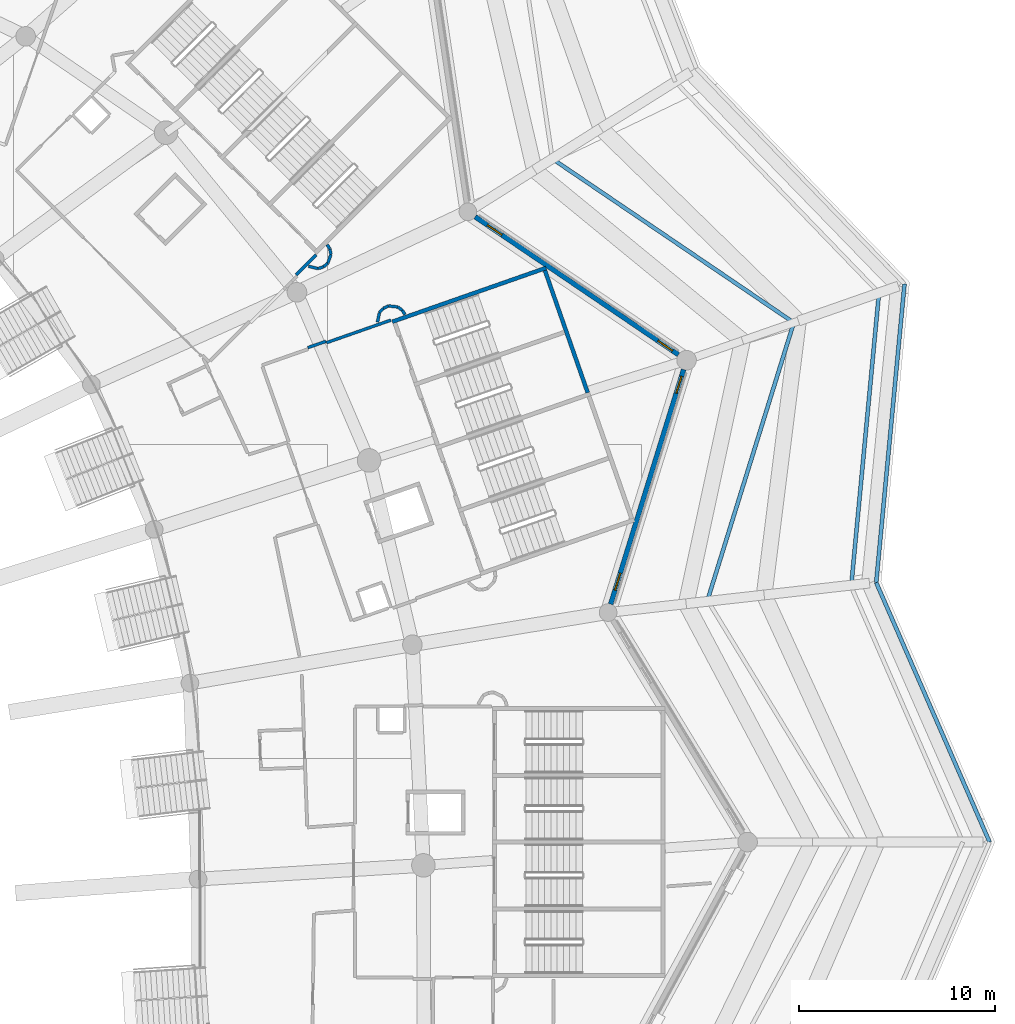
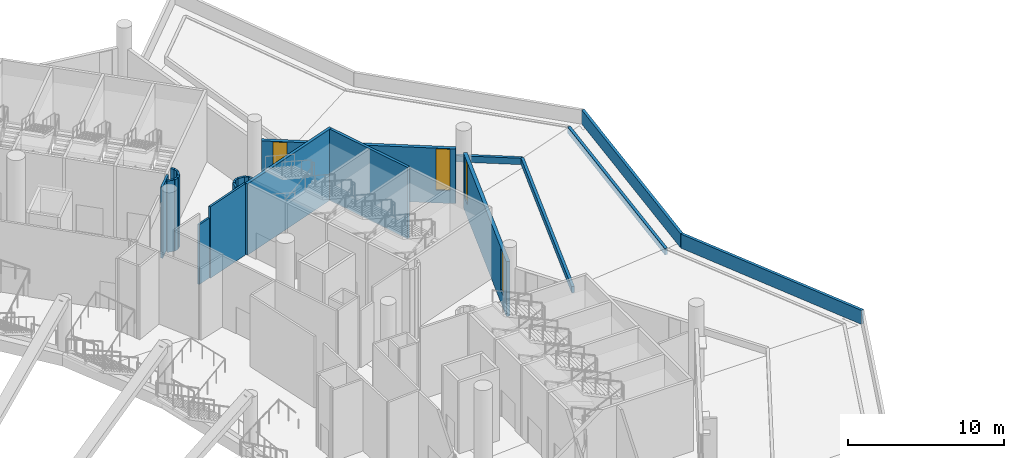
# One storey, part 74 of 173: 24 walls, 4 windows, 4 openings.
"""IFC4 building model written with IfcOpenShell, lengths in metres."""

import ifcopenshell
import ifcopenshell.guid

model = None  # the IFC model being written
_history = None  # IfcOwnerHistory: only IFC2X3 demands one
_inside = {}  # id of a spatial element -> (the spatial element, [elements in it])
_under = {}  # id of a project, library or spatial element -> (it, [spatial elements below it])
_declared = {}  # id of a project -> (the project, [libraries it declares])
_typed = {}  # id of a type object -> (the type object, [elements of that type])
_made_of = {}  # id of a material, layer set ... -> (it, [elements and type objects made of it])


def new_model(schema):
    """Start an empty IFC model of exactly this schema.

    Asked for "IFC4X3", IfcOpenShell would pick the latest addendum, in which some entities
    have other attributes; the version numbers below select the first issue.
    IFC2X3 requires an IfcOwnerHistory on every rooted entity: one is made here for all.
    """
    global model, _history
    if schema == "IFC4X3":
        model = ifcopenshell.file(schema_version=(4, 3, 0, 0))
    else:
        model = ifcopenshell.file(schema=schema)
    _inside.clear()
    _under.clear()
    _declared.clear()
    _typed.clear()
    _made_of.clear()
    _history = None
    if model.schema == "IFC2X3":
        org = make("IfcOrganization", Name="unknown")
        user = make(
            "IfcPersonAndOrganization",
            ThePerson=make("IfcPerson", FamilyName="unknown"),
            TheOrganization=org,
        )
        app = make(
            "IfcApplication",
            ApplicationDeveloper=org,
            Version="unknown",
            ApplicationFullName="unknown",
            ApplicationIdentifier="unknown",
        )
        _history = make(
            "IfcOwnerHistory",
            OwningUser=user,
            OwningApplication=app,
            ChangeAction="ADDED",
            CreationDate=0,
        )
    return model


def make(cls, **values):
    """One entity of the class cls with the attributes given. An attribute that is None is left unset."""
    return model.create_entity(
        cls, **{name: value for name, value in values.items() if value is not None}
    )


def rooted(cls, **values):
    """An entity with a GlobalId (a new one), such as an element, a storey or a relation."""
    return make(cls, GlobalId=ifcopenshell.guid.new(), OwnerHistory=_history, **values)


def si_unit(unit_type, name, prefix=None):
    """IfcSIUnit, for example si_unit("LENGTHUNIT", "METRE", prefix="MILLI")."""
    return make("IfcSIUnit", UnitType=unit_type, Prefix=prefix, Name=name)


def assignment(units):
    """IfcUnitAssignment: the units of a project."""
    return None if units is None else make("IfcUnitAssignment", Units=units)


def point(xyz):
    """IfcCartesianPoint."""
    return None if xyz is None else make("IfcCartesianPoint", Coordinates=xyz)


def direction(xyz):
    """IfcDirection."""
    return None if xyz is None else make("IfcDirection", DirectionRatios=xyz)


def frame(location, z_axis=None, x_axis=None):
    """IfcAxis2Placement3D, a coordinate frame: its origin and axes. An axis left out is left unset."""
    return make(
        "IfcAxis2Placement3D",
        Location=point(location),
        Axis=direction(z_axis),
        RefDirection=direction(x_axis),
    )


def frame_2d(location, x_axis=None):
    """IfcAxis2Placement2D, a coordinate frame in the plane: its origin and x axis."""
    return make(
        "IfcAxis2Placement2D", Location=point(location), RefDirection=direction(x_axis)
    )


def origin():
    """The frame at (0, 0, 0) with its axes left unset."""
    return frame((0.0, 0.0, 0.0))


def place(relative_to, where):
    """IfcLocalPlacement: puts the frame where relative to a parent placement (None: the world)."""
    return make(
        "IfcLocalPlacement", PlacementRelTo=relative_to, RelativePlacement=where
    )


def context(
    kind, dimensions, precision=None, world=None, true_north=None, identifier=None
):
    """IfcGeometricRepresentationContext, for example the 3D "Model" context."""
    return make(
        "IfcGeometricRepresentationContext",
        ContextIdentifier=identifier,
        ContextType=kind,
        CoordinateSpaceDimension=dimensions,
        Precision=precision,
        WorldCoordinateSystem=world,
        TrueNorth=true_north,
    )


def subcontext(parent, identifier, kind, view, scale=None):
    """IfcGeometricRepresentationSubContext, for example "Body" below "Model"."""
    return make(
        "IfcGeometricRepresentationSubContext",
        ContextIdentifier=identifier,
        ContextType=kind,
        ParentContext=parent,
        TargetScale=scale,
        TargetView=view,
    )


def project(units=None, contexts=None):
    """IfcProject with its units and contexts."""
    return rooted(
        "IfcProject",
        Name="project",
        RepresentationContexts=contexts,
        UnitsInContext=assignment(units),
    )


def spatial(cls, under=None, at=None, **own):
    """A site, building, storey or space (cls), placed at a placement, below another one or the project."""
    s = rooted(cls, ObjectPlacement=at, **own)
    if under is not None:
        _under.setdefault(under.id(), (under, []))[1].append(s)
    return s


def profile(cls, at=None, kind="AREA", **sizes):
    """A parametric profile (cls). Its sizes go by their IFC names, for example OverallWidth=200.0."""
    return make(cls, ProfileType=kind, Position=at, **sizes)


def rectangle(**sizes):
    """IfcRectangleProfileDef."""
    return profile("IfcRectangleProfileDef", **sizes)


def extrude(swept, where, along, depth):
    """IfcExtrudedAreaSolid: the profile swept, set in the frame where, extruded along a direction by depth."""
    return make(
        "IfcExtrudedAreaSolid",
        SweptArea=swept,
        Position=where,
        ExtrudedDirection=direction(along),
        Depth=depth,
    )


def shape(context_of_items, identifier, shape_type, items):
    """IfcShapeRepresentation: the items that make up one representation, for example the "Body"."""
    return make(
        "IfcShapeRepresentation",
        ContextOfItems=context_of_items,
        RepresentationIdentifier=identifier,
        RepresentationType=shape_type,
        Items=items,
    )


def material(Name=None, Category=None):
    """IfcMaterial."""
    return make("IfcMaterial", Name=Name, Category=Category)


def layer(
    of_material, thickness, ventilated=None, Name=None, Category=None, Priority=None
):
    """IfcMaterialLayer: one layer of a wall or slab, of a material (None: an air gap)."""
    return make(
        "IfcMaterialLayer",
        Material=of_material,
        LayerThickness=thickness,
        IsVentilated=ventilated,
        Name=Name,
        Category=Category,
        Priority=Priority,
    )


def layer_set(layers, Name=None):
    """IfcMaterialLayerSet."""
    return make("IfcMaterialLayerSet", MaterialLayers=layers, LayerSetName=Name)


def made_of(thing, what):
    """Note that an element or type object is made of a material, layer set ...; save() writes the relation."""
    if what is not None:
        _made_of.setdefault(what.id(), (what, []))[1].append(thing)
    return thing


def type_object(cls, material=None, **own):
    """A type object (cls), such as IfcWallType, which elements share."""
    return made_of(rooted(cls, **own), material)


def element(
    cls,
    number,
    at=None,
    inside=None,
    cuts=None,
    type_object=None,
    material=None,
    context=None,
    identifier="Body",
    shape_type=None,
    held_by="IfcProductDefinitionShape",
    body=None,
    shapes=None,
    **own,
):
    """One element of the class cls, such as IfcWall. Its Tag is "e" and its number.

    at: its placement. inside: the storey or other place that contains it. cuts: it is an
    opening in that element (IfcRelVoidsElement). A single representation is given by context,
    identifier, shape_type and body (its items); several are given by shapes. held_by: the class
    of the entity that holds the representations. save() writes the other relations.
    """
    e = rooted(cls, Tag="e%d" % number, ObjectPlacement=at, **own)
    if body is not None:
        shapes = [shape(context, identifier, shape_type, body)]
    if shapes is not None:
        e.Representation = make(held_by, Representations=shapes)
    if inside is not None:
        _inside.setdefault(inside.id(), (inside, []))[1].append(e)
    if cuts is not None:
        rooted(
            "IfcRelVoidsElement", RelatingBuildingElement=cuts, RelatedOpeningElement=e
        )
    if type_object is not None:
        _typed.setdefault(type_object.id(), (type_object, []))[1].append(e)
    return made_of(e, material)


def fill(opening, filler):
    """IfcRelFillsElement: the door or window that sits in an opening."""
    return rooted(
        "IfcRelFillsElement",
        RelatingOpeningElement=opening,
        RelatedBuildingElement=filler,
    )


def aggregate(whole, parts):
    """IfcRelAggregates: a whole, such as a stair, and the parts it consists of."""
    return rooted("IfcRelAggregates", RelatingObject=whole, RelatedObjects=parts)


def save(model, path):
    """Write the relations noted so far, then the file.

    IfcRelAggregates (storeys below a building ...), IfcRelContainedInSpatialStructure (elements
    in a storey), IfcRelDefinesByType, IfcRelAssociatesMaterial and IfcRelDeclares: one each for
    every whole, place, type object, material and project.
    """
    for whole, parts in _under.values():
        aggregate(whole, parts)
    for where, things in _inside.values():
        rooted(
            "IfcRelContainedInSpatialStructure",
            RelatedElements=things,
            RelatingStructure=where,
        )
    for kind, things in _typed.values():
        rooted("IfcRelDefinesByType", RelatedObjects=things, RelatingType=kind)
    for what, things in _made_of.values():
        rooted("IfcRelAssociatesMaterial", RelatedObjects=things, RelatingMaterial=what)
    for by, libraries in _declared.values():
        rooted("IfcRelDeclares", RelatingContext=by, RelatedDefinitions=libraries)
    model.write(path)


model = new_model("IFC4")

# Units and contexts
model_context = context("Model", 3, precision=1e-05, world=origin(), true_north=direction((0.0, 1.0)))
body_context = subcontext(model_context, "Body", "Model", "MODEL_VIEW")
ifc_project = project(units=[si_unit("LENGTHUNIT", "METRE"), si_unit("AREAUNIT", "SQUARE_METRE"), si_unit("VOLUMEUNIT", "CUBIC_METRE"), si_unit("PLANEANGLEUNIT", "RADIAN"), si_unit("MASSUNIT", "GRAM", prefix="KILO")], contexts=[model_context])

# Site, building, storey
site_placement = place(None, origin())
site = spatial("IfcSite", under=ifc_project, at=site_placement, CompositionType="ELEMENT")
building_placement = place(site_placement, origin())
building = spatial("IfcBuilding", under=site, at=building_placement, Name="Meseta Stadium", CompositionType="ELEMENT")
storey_placement = place(building_placement, frame((0.0, 0.0, 18.0)))
storey = spatial("IfcBuildingStorey", under=building, at=storey_placement, Name="L03", CompositionType="ELEMENT", Elevation=18.0)

# Walls
ifc_material_1 = material(Name="Concrete C40/50", Category="concrete")
ifc_layer_1 = layer(ifc_material_1, 0.199951171875)
ifc_layer_set_1 = layer_set([ifc_layer_1], Name="Core shaft wall 200")
wall_type_1 = type_object("IfcWallType", Name="Core shaft wall 200", PredefinedType="SHEAR", material=ifc_layer_set_1)
wall_1_placement = place(storey_placement, frame((91.136962890625, 72.998291015625, 0.0), z_axis=(0.0, 0.0, 1.0), x_axis=(-0.943887243331, -0.330267878966, 0.0)))
element("IfcWall", 1, at=wall_1_placement, inside=storey, type_object=wall_type_1, Name="Core 06 L03 stair wall B-side", PredefinedType="SHEAR", context=body_context, shape_type="SweptSolid", body=[
    extrude(rectangle(XDim=8.300048828125, YDim=0.199951171875, at=frame_2d((4.14990234375, 0.0))), origin(), (0.0, 0.0, 1.0), 5.60009765625),
])
wall_2_placement = place(storey_placement, frame((93.255615234375, 66.641357421875, 0.0), z_axis=(0.0, 0.0, 1.0), x_axis=(-0.330286164688, 0.943880844925, 0.0)))
element("IfcWall", 2, at=wall_2_placement, inside=storey, type_object=wall_type_1, Name="Core 06 L03 stair B outer end wall", PredefinedType="SHEAR", context=body_context, shape_type="SweptSolid", body=[
    extrude(rectangle(XDim=6.60009765625, YDim=0.199951171875, at=frame_2d((3.300048828125, 0.0))), origin(), (0.0, 0.0, 1.0), 5.60009765625),
])
ifc_material_2 = material(Name="Masonry blockwork", Category="masonry")
ifc_layer_2 = layer(ifc_material_2, 0.14990234375)
ifc_layer_set_2 = layer_set([ifc_layer_2], Name="Partition 150")
wall_type_2 = type_object("IfcWallType", Name="Partition 150", PredefinedType="PARTITIONING", material=ifc_layer_set_2)
wall_3_placement = place(storey_placement, frame((83.23193359375, 70.33837890625, 0.0), z_axis=(0.0, 0.0, 1.0), x_axis=(-0.943878042103, -0.330294174389, 0.0)))
element("IfcWall", 3, at=wall_3_placement, inside=storey, type_object=wall_type_2, Name="Partition L03 L03-cell05-1-0", PredefinedType="PARTITIONING", context=body_context, shape_type="SweptSolid", body=[
    extrude(rectangle(XDim=3.47998046875, YDim=0.14990234375, at=frame_2d((1.739990234375, 0.0))), origin(), (0.0, 0.0, 1.0), 5.60009765625),
])
wall_4_placement = place(storey_placement, frame((78.39697265625, 72.638916015625, 0.0), z_axis=(0.0, 0.0, 1.0), x_axis=(0.707106781187, 0.707106781187, 0.0)))
element("IfcWall", 4, at=wall_4_placement, inside=storey, type_object=wall_type_2, Name="Partition L03 L03-cell05-1-0", PredefinedType="PARTITIONING", context=body_context, shape_type="SweptSolid", body=[
    extrude(rectangle(XDim=1.44384765625, YDim=0.14990234375, at=frame_2d((0.721923828125, 0.0))), origin(), (0.0, 0.0, 1.0), 5.60009765625),
])
wall_5_placement = place(storey_placement, frame((79.9130859375, 69.25634765625, 0.0), z_axis=(0.0, 0.0, 1.0), x_axis=(-0.943893508812, -0.330249972024, 0.0)))
element("IfcWall", 5, at=wall_5_placement, inside=storey, type_object=wall_type_2, Name="Stair vestibule wall L03 core 06", PredefinedType="PARTITIONING", context=body_context, shape_type="SweptSolid", body=[
    extrude(rectangle(XDim=0.974365234375, YDim=0.14990234375, at=frame_2d((0.4873046875, 0.0))), origin(), (0.0, 0.0, 1.0), 4.699951171875),
])
wall_6_placement = place(storey_placement, frame((83.94921875, 70.619140625, 0.0), z_axis=(0.0, 0.0, 1.0), x_axis=(-0.538650685525, 0.84252919177, 0.0)))
element("IfcWall", 6, at=wall_6_placement, inside=storey, type_object=wall_type_2, Name="Stair vestibule wall L03 core 06", PredefinedType="PARTITIONING", context=body_context, shape_type="SweptSolid", body=[
    extrude(rectangle(XDim=0.2578125, YDim=0.14990234375, at=frame_2d((0.12890625, 0.0))), origin(), (0.0, 0.0, 1.0), 5.60009765625),
])
wall_7_placement = place(storey_placement, frame((83.810302734375, 70.83642578125, 0.0), z_axis=(0.0, 0.0, 1.0), x_axis=(-0.798981038717, 0.601356217039, 0.0)))
element("IfcWall", 7, at=wall_7_placement, inside=storey, type_object=wall_type_2, Name="Stair vestibule wall L03 core 06", PredefinedType="PARTITIONING", context=body_context, shape_type="SweptSolid", body=[
    extrude(rectangle(XDim=0.287841796875, YDim=0.14990234375, at=frame_2d((0.14404296875, 0.0))), origin(), (0.0, 0.0, 1.0), 5.60009765625),
])
wall_8_placement = place(storey_placement, frame((83.580322265625, 71.009521484375, 0.0), z_axis=(0.0, 0.0, 1.0), x_axis=(-0.99448310887, 0.104896835856, 0.0)))
element("IfcWall", 8, at=wall_8_placement, inside=storey, type_object=wall_type_2, Name="Stair vestibule wall L03 core 06", PredefinedType="PARTITIONING", context=body_context, shape_type="SweptSolid", body=[
    extrude(rectangle(XDim=0.4794921875, YDim=0.14990234375, at=frame_2d((0.23974609375, 0.0))), origin(), (0.0, 0.0, 1.0), 5.60009765625),
])
wall_9_placement = place(storey_placement, frame((83.103515625, 71.059814453125, 0.0), z_axis=(0.0, 0.0, 1.0), x_axis=(-0.906893747054, -0.42135938527, 0.0)))
element("IfcWall", 9, at=wall_9_placement, inside=storey, type_object=wall_type_2, Name="Stair vestibule wall L03 core 06", PredefinedType="PARTITIONING", context=body_context, shape_type="SweptSolid", body=[
    extrude(rectangle(XDim=0.2890625, YDim=0.14990234375, at=frame_2d((0.14453125, 0.0))), origin(), (0.0, 0.0, 1.0), 5.60009765625),
])
wall_10_placement = place(storey_placement, frame((82.84130859375, 70.93798828125, 0.0), z_axis=(0.0, 0.0, 1.0), x_axis=(-0.677403687514, -0.735611476353, 0.0)))
element("IfcWall", 10, at=wall_10_placement, inside=storey, type_object=wall_type_2, Name="Stair vestibule wall L03 core 06", PredefinedType="PARTITIONING", context=body_context, shape_type="SweptSolid", body=[
    extrude(rectangle(XDim=0.289306640625, YDim=0.14990234375, at=frame_2d((0.14453125, 0.0))), origin(), (0.0, 0.0, 1.0), 5.60009765625),
])
wall_11_placement = place(storey_placement, frame((82.645263671875, 70.72509765625, 0.0), z_axis=(0.0, 0.0, 1.0), x_axis=(-0.200428150313, -0.979708403844, 0.0)))
element("IfcWall", 11, at=wall_11_placement, inside=storey, type_object=wall_type_2, Name="Stair vestibule wall L03 core 06", PredefinedType="PARTITIONING", context=body_context, shape_type="SweptSolid", body=[
    extrude(rectangle(XDim=0.500732421875, YDim=0.14990234375, at=frame_2d((0.25048828125, 0.0))), origin(), (0.0, 0.0, 1.0), 5.60009765625),
])
wall_12_placement = place(storey_placement, frame((79.0263671875, 73.085693359375, 0.0), z_axis=(0.0, 0.0, 1.0), x_axis=(0.969681687009, -0.244371491545, 0.0)))
element("IfcWall", 12, at=wall_12_placement, inside=storey, type_object=wall_type_2, Name="Stair vestibule wall L03 core 07", PredefinedType="PARTITIONING", context=body_context, shape_type="SweptSolid", body=[
    extrude(rectangle(XDim=0.50048828125, YDim=0.14990234375, at=frame_2d((0.250244140625, 0.0))), origin(), (0.0, 0.0, 1.0), 5.60009765625),
])
for number, where, z_axis, x_axis, name in (
    (13, (79.51171875, 72.96337890625, 0.0), (0.0, 0.0, 1.0), (0.956939196296, 0.290288433444, 0.0), "Stair vestibule wall L03 core 07"),
    (14, (79.78857421875, 73.04736328125, 0.0), (0.0, 0.0, 1.0), (0.772903591923, 0.634523472845, 0.0), "Stair vestibule wall L03 core 07"),
):
    element("IfcWall", number, at=place(storey_placement, frame(where, z_axis=z_axis, x_axis=x_axis)), inside=storey, type_object=wall_type_2, Name=name, PredefinedType="PARTITIONING", context=body_context, shape_type="SweptSolid", body=[
        extrude(rectangle(XDim=0.289306640625, YDim=0.14990234375, at=frame_2d((0.14453125, 0.0))), origin(), (0.0, 0.0, 1.0), 5.60009765625),
    ])
wall_13_placement = place(storey_placement, frame((80.01220703125, 73.23095703125, 0.0), z_axis=(0.0, 0.0, 1.0), x_axis=(0.337078177044, 0.941476660656, 0.0)))
element("IfcWall", 15, at=wall_13_placement, inside=storey, type_object=wall_type_2, Name="Stair vestibule wall L03 core 07", PredefinedType="PARTITIONING", context=body_context, shape_type="SweptSolid", body=[
    extrude(rectangle(XDim=0.4794921875, YDim=0.14990234375, at=frame_2d((0.23974609375, 0.0))), origin(), (0.0, 0.0, 1.0), 5.60009765625),
])
wall_14_placement = place(storey_placement, frame((80.173828125, 73.682373046875, 0.0), z_axis=(0.0, 0.0, 1.0), x_axis=(-0.194974845214, 0.9808082431, 0.0)))
element("IfcWall", 16, at=wall_14_placement, inside=storey, type_object=wall_type_2, Name="Stair vestibule wall L03 core 07", PredefinedType="PARTITIONING", context=body_context, shape_type="SweptSolid", body=[
    extrude(rectangle(XDim=0.2880859375, YDim=0.14990234375, at=frame_2d((0.14404296875, 0.0))), origin(), (0.0, 0.0, 1.0), 5.60009765625),
])
wall_15_placement = place(storey_placement, frame((80.11767578125, 73.96484375, 0.0), z_axis=(0.0, 0.0, 1.0), x_axis=(-0.525734867085, 0.850648487644, 0.0)))
element("IfcWall", 17, at=wall_15_placement, inside=storey, type_object=wall_type_2, Name="Stair vestibule wall L03 core 07", PredefinedType="PARTITIONING", context=body_context, shape_type="SweptSolid", body=[
    extrude(rectangle(XDim=0.2578125, YDim=0.14990234375, at=frame_2d((0.12890625, 0.0))), origin(), (0.0, 0.0, 1.0), 5.60009765625),
])
ifc_material_3 = material(Name="Precast concrete C40/50", Category="concrete")
ifc_layer_3 = layer(ifc_material_3, 0.199951171875)
ifc_layer_set_3 = layer_set([ifc_layer_3], Name="Planter kerb 200")
wall_type_3 = type_object("IfcWallType", Name="Planter kerb 200", PredefinedType="USERDEFINED", material=ifc_layer_set_3)
wall_16_placement = place(storey_placement, frame((99.357421875, 56.06396484375, 0.0), z_axis=(0.0, 0.0, 1.0), x_axis=(0.296859510223, 0.954921164908, 0.0)))
element("IfcWall", 18, at=wall_16_placement, inside=storey, type_object=wall_type_3, Name="Planter kerb 1.1.8", ObjectType="PLANTER", PredefinedType="USERDEFINED", context=body_context, shape_type="SweptSolid", body=[
    extrude(rectangle(XDim=14.813232421875, YDim=0.199951171875, at=frame_2d((7.40673828125, 0.0))), origin(), (0.0, 0.0, 1.0), 0.5),
])
wall_17_placement = place(storey_placement, frame((103.7548828125, 70.20947265625, 0.0), z_axis=(0.0, 0.0, 1.0), x_axis=(-0.827480678526, 0.561494191124, 0.0)))
element("IfcWall", 19, at=wall_17_placement, inside=storey, type_object=wall_type_3, Name="Planter kerb 1.1.9", ObjectType="PLANTER", PredefinedType="USERDEFINED", context=body_context, shape_type="SweptSolid", body=[
    extrude(rectangle(XDim=14.869384765625, YDim=0.199951171875, at=frame_2d((7.4345703125, 0.0))), origin(), (0.0, 0.0, 1.0), 0.5),
])
wall_18_placement = place(storey_placement, frame((108.0947265625, 71.727783203125, 0.0), z_axis=(0.0, 0.0, 1.0), x_axis=(-0.0943545393, -0.995538658674, 0.0)))
element("IfcWall", 20, at=wall_18_placement, inside=storey, type_object=wall_type_3, Name="Planter kerb 1.1.14", ObjectType="PLANTER", PredefinedType="USERDEFINED", context=body_context, shape_type="SweptSolid", body=[
    extrude(rectangle(XDim=15.03076171875, YDim=0.199951171875, at=frame_2d((7.515380859375, 0.0))), origin(), (0.0, 0.0, 1.0), 0.5),
])

# Wall, openings, windows
ifc_material_4 = material(Name="White precast concrete C40/50", Category="concrete")
ifc_layer_4 = layer(ifc_material_4, 0.25)
ifc_layer_set_4 = layer_set([ifc_layer_4], Name="Pleated panel wall 250")
wall_type_4 = type_object("IfcWallType", Name="Pleated panel wall 250", PredefinedType="SOLIDWALL", material=ifc_layer_set_4)
wall_19_placement = place(storey_placement, frame((98.142822265625, 67.820068359375, 0.0), z_axis=(0.0, 0.0, 1.0), x_axis=(-0.29687600697, -0.954916036354, 0.0)))
wall_19 = element("IfcWall", 21, at=wall_19_placement, inside=storey, type_object=wall_type_4, Name="Pleated facade panel L03 F09", PredefinedType="SOLIDWALL", context=body_context, shape_type="SweptSolid", body=[
    extrude(rectangle(XDim=12.51318359375, YDim=0.25, at=frame_2d((6.256591796875, 0.0))), origin(), (0.0, 0.0, 1.0), 4.300048828125),
])
opening_1_placement = place(wall_19_placement, frame((10.863037109375, 0.0, 1.0)))
opening_1 = element("IfcOpeningElement", 22, at=opening_1_placement, cuts=wall_19, Name="Opening W150", PredefinedType="OPENING", context=body_context, shape_type="SweptSolid", body=[
    extrude(rectangle(XDim=0.89990234375, YDim=3.25, at=frame_2d((0.449951171875, 1.625))), frame((0.0, 0.135009765625, 0.0), z_axis=(0.0, -1.0, 0.0), x_axis=(1.0, 0.0, 0.0)), (0.0, 0.0, 1.0), 0.27001953125),
])
opening_2_placement = place(wall_19_placement, frame((0.363037109375, 0.0, 1.0)))
opening_2 = element("IfcOpeningElement", 23, at=opening_2_placement, cuts=wall_19, Name="Opening W168", PredefinedType="OPENING", context=body_context, shape_type="SweptSolid", body=[
    extrude(rectangle(XDim=0.89990234375, YDim=3.25, at=frame_2d((0.449951171875, 1.625))), frame((0.0, 0.135009765625, 0.0), z_axis=(0.0, -1.0, 0.0), x_axis=(1.0, 0.0, 0.0)), (0.0, 0.0, 1.0), 0.27001953125),
])
ifc_material_5 = material(Name="Aluminium", Category="aluminium")
window_type = type_object("IfcWindowType", Name="Slot window 900x3250", PartitioningType="SINGLE_PANEL", PredefinedType="WINDOW", material=ifc_material_5)
window_1_placement = place(opening_1_placement, origin())
window_1 = element("IfcWindow", 24, at=window_1_placement, inside=storey, type_object=window_type, Name="Slot window L03 F09.1", OverallHeight=3.25, OverallWidth=0.89990234375, PartitioningType="SINGLE_PANEL", PredefinedType="WINDOW", context=body_context, shape_type="SweptSolid", body=[
    extrude(rectangle(XDim=0.89990234375, YDim=3.25, at=frame_2d((0.449951171875, 1.625))), frame((0.0, 0.030029296875, 0.0), z_axis=(0.0, -1.0, 0.0), x_axis=(1.0, 0.0, 0.0)), (0.0, 0.0, 1.0), 0.06005859375),
])
fill(opening_1, window_1)
window_2_placement = place(opening_2_placement, origin())
window_2 = element("IfcWindow", 25, at=window_2_placement, inside=storey, type_object=window_type, Name="Slot window L03 F09.6", OverallHeight=3.25, OverallWidth=0.89990234375, PartitioningType="SINGLE_PANEL", PredefinedType="WINDOW", context=body_context, shape_type="SweptSolid", body=[
    extrude(rectangle(XDim=0.89990234375, YDim=3.25, at=frame_2d((0.449951171875, 1.625))), frame((0.0, 0.030029296875, 0.0), z_axis=(0.0, -1.0, 0.0), x_axis=(1.0, 0.0, 0.0)), (0.0, 0.0, 1.0), 0.06005859375),
])
fill(opening_2, window_2)

wall_20_placement = place(storey_placement, frame((87.52294921875, 75.604248046875, 0.0), z_axis=(0.0, 0.0, 1.0), x_axis=(0.827480954447, -0.561493784496, 0.0)))
wall_20 = element("IfcWall", 26, at=wall_20_placement, inside=storey, type_object=wall_type_4, Name="Pleated facade panel L03 F10", PredefinedType="SOLIDWALL", context=body_context, shape_type="SweptSolid", body=[
    extrude(rectangle(XDim=12.51318359375, YDim=0.25, at=frame_2d((6.256591796875, 0.0))), origin(), (0.0, 0.0, 1.0), 4.300048828125),
])
opening_3_placement = place(wall_20_placement, frame((0.750244140625, 0.0, 1.0)))
opening_3 = element("IfcOpeningElement", 27, at=opening_3_placement, cuts=wall_20, Name="Opening W145", PredefinedType="OPENING", context=body_context, shape_type="SweptSolid", body=[
    extrude(rectangle(XDim=0.89990234375, YDim=3.25, at=frame_2d((0.449951171875, 1.625))), frame((0.0, 0.135009765625, 0.0), z_axis=(0.0, -1.0, 0.0), x_axis=(1.0, 0.0, 0.0)), (0.0, 0.0, 1.0), 0.27001953125),
])
opening_4_placement = place(wall_20_placement, frame((11.250244140625, 0.0, 1.0)))
opening_4 = element("IfcOpeningElement", 28, at=opening_4_placement, cuts=wall_20, Name="Opening W167", PredefinedType="OPENING", context=body_context, shape_type="SweptSolid", body=[
    extrude(rectangle(XDim=0.89990234375, YDim=3.25, at=frame_2d((0.449951171875, 1.625))), frame((0.0, 0.135009765625, 0.0), z_axis=(0.0, -1.0, 0.0), x_axis=(1.0, 0.0, 0.0)), (0.0, 0.0, 1.0), 0.27001953125),
])
window_3_placement = place(opening_3_placement, origin())
window_3 = element("IfcWindow", 29, at=window_3_placement, inside=storey, type_object=window_type, Name="Slot window L03 F10.1", OverallHeight=3.25, OverallWidth=0.89990234375, PartitioningType="SINGLE_PANEL", PredefinedType="WINDOW", context=body_context, shape_type="SweptSolid", body=[
    extrude(rectangle(XDim=0.89990234375, YDim=3.25, at=frame_2d((0.449951171875, 1.625))), frame((0.0, 0.030029296875, 0.0), z_axis=(0.0, -1.0, 0.0), x_axis=(1.0, 0.0, 0.0)), (0.0, 0.0, 1.0), 0.06005859375),
])
fill(opening_3, window_3)
window_4_placement = place(opening_4_placement, origin())
window_4 = element("IfcWindow", 30, at=window_4_placement, inside=storey, type_object=window_type, Name="Slot window L03 F10.6", OverallHeight=3.25, OverallWidth=0.89990234375, PartitioningType="SINGLE_PANEL", PredefinedType="WINDOW", context=body_context, shape_type="SweptSolid", body=[
    extrude(rectangle(XDim=0.89990234375, YDim=3.25, at=frame_2d((0.449951171875, 1.625))), frame((0.0, 0.030029296875, 0.0), z_axis=(0.0, -1.0, 0.0), x_axis=(1.0, 0.0, 0.0)), (0.0, 0.0, 1.0), 0.06005859375),
])
fill(opening_4, window_4)

# Walls
ifc_material_6 = material(Name="Concrete C40/50", Category="concrete")
ifc_layer_5 = layer(ifc_material_6, 0.199951171875)
ifc_layer_set_5 = layer_set([ifc_layer_5], Name="Roof parapet 200")
wall_type_5 = type_object("IfcWallType", Name="Roof parapet 200", PredefinedType="PARAPET", material=ifc_layer_set_5)
wall_21_placement = place(storey_placement, frame((107.951416015625, 56.96826171875, 0.0), z_axis=(0.0, 0.0, 1.0), x_axis=(0.400392633848, -0.916343679391, 0.0)))
element("IfcWall", 31, at=wall_21_placement, inside=storey, type_object=wall_type_5, Name="Roof parapet 1.1.1", PredefinedType="PARAPET", context=body_context, shape_type="SweptSolid", body=[
    extrude(rectangle(XDim=14.425537109375, YDim=0.199951171875, at=frame_2d((7.212890625, 0.0))), origin(), (0.0, 0.0, 1.0), 1.10009765625),
])
wall_22_placement = place(storey_placement, frame((109.3935546875, 72.182373046875, 0.0), z_axis=(0.0, 0.0, 1.0), x_axis=(-0.094366547389, -0.995537520505, 0.0)))
element("IfcWall", 32, at=wall_22_placement, inside=storey, type_object=wall_type_5, Name="Roof parapet 1.8.1", PredefinedType="PARAPET", context=body_context, shape_type="SweptSolid", body=[
    extrude(rectangle(XDim=15.2822265625, YDim=0.199951171875, at=frame_2d((7.64111328125, 0.0))), origin(), (0.0, 0.0, 1.0), 1.10009765625),
])

save(model, "model.ifc")
